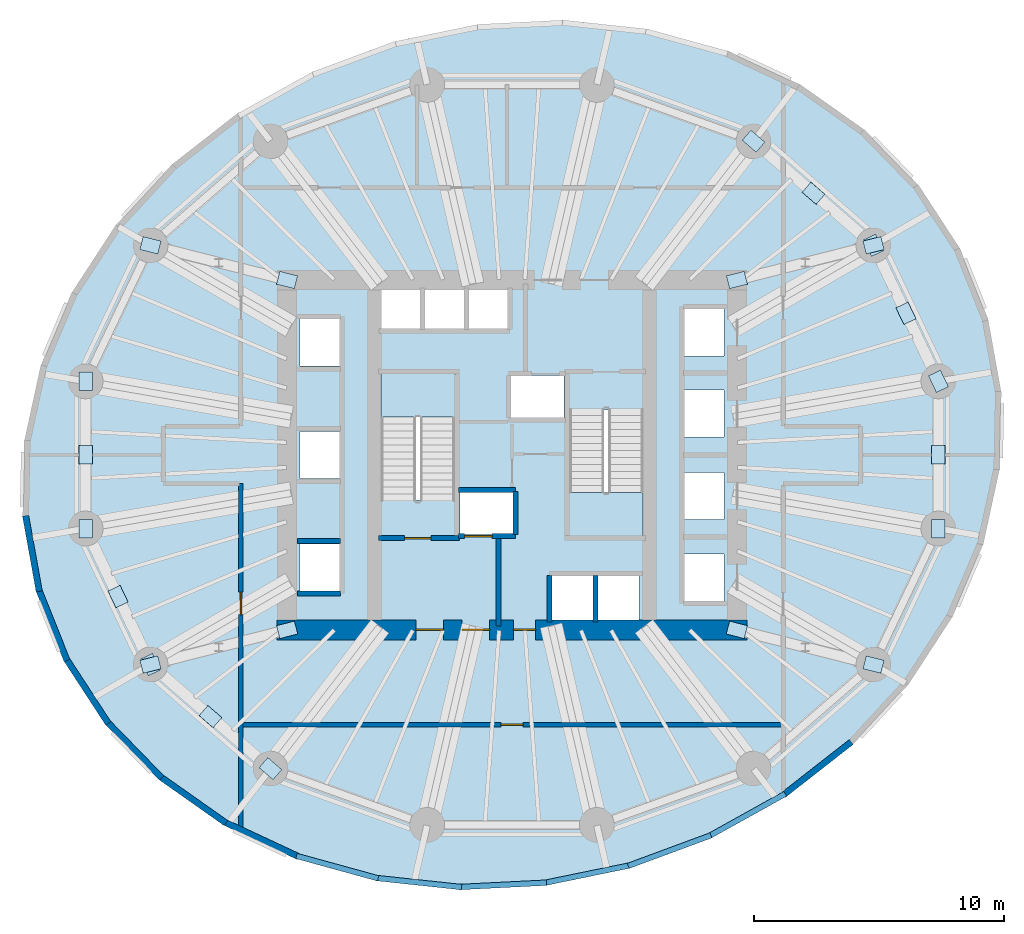
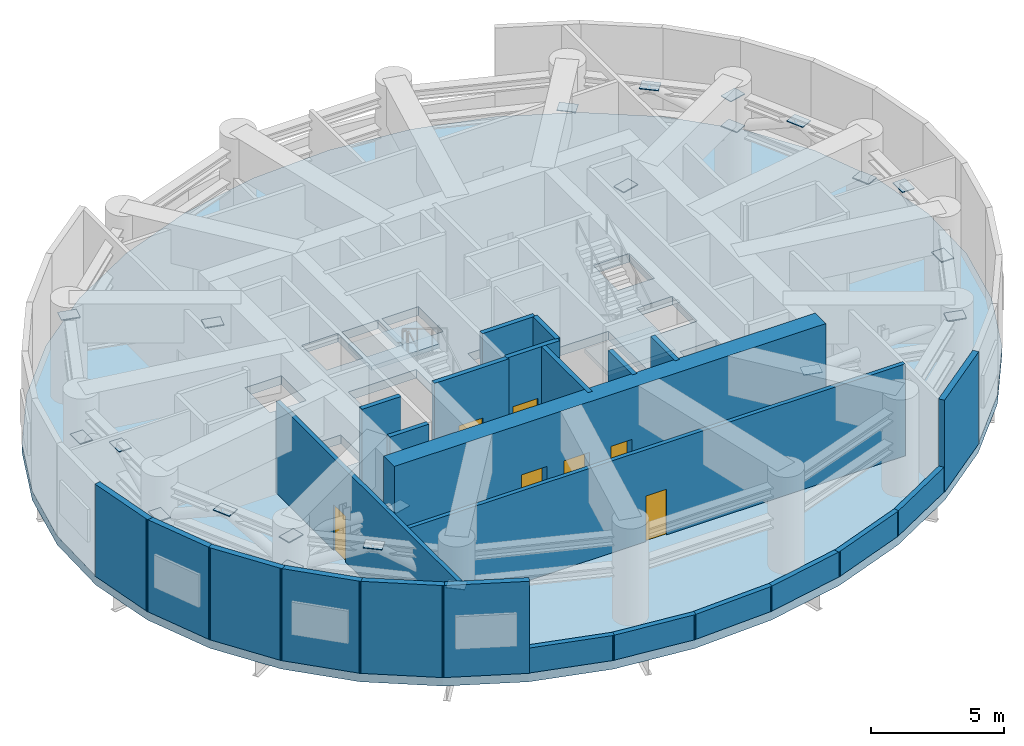
# One storey, part 4 of 8: 25 walls, 22 plates, 7 doors, 3 slabs, 7 openings, 2 elements without a shape of their own.
"""IFC4 building model written with IfcOpenShell, lengths in metres."""

from ifc_helpers import new_model, si_unit, direction, frame, frame_2d, origin, origin_2d, place, context, subcontext, project, spatial, polyline, rectangle, outline, extrude, material, layer, layer_set, type_object, element, fill, aggregate, save


model = new_model("IFC4")

# Units and contexts
model_context = context("Model", 3, precision=1e-05, world=origin(), true_north=direction((0.0, 1.0)))
body_context = subcontext(model_context, "Body", "Model", "MODEL_VIEW")
ifc_project = project(units=[si_unit("LENGTHUNIT", "METRE"), si_unit("AREAUNIT", "SQUARE_METRE"), si_unit("VOLUMEUNIT", "CUBIC_METRE"), si_unit("PLANEANGLEUNIT", "RADIAN"), si_unit("MASSUNIT", "GRAM", prefix="KILO")], contexts=[model_context])

# Site, building, storey
site_placement = place(None, origin())
site = spatial("IfcSite", under=ifc_project, at=site_placement, CompositionType="ELEMENT")
building_placement = place(site_placement, origin())
building = spatial("IfcBuilding", under=site, at=building_placement, Name="Veldorim Arch Residences", CompositionType="ELEMENT")
storey_placement = place(building_placement, frame((0.0, 0.0, 66.39990234375)))
storey = spatial("IfcBuildingStorey", under=building, at=storey_placement, Name="L19", CompositionType="ELEMENT", Elevation=66.39990234375)

# Slab
ifc_material_1 = material(Name="Concrete C50/60", Category="concrete")
ifc_layer_1 = layer(ifc_material_1, 0.39990234375, Name="Refuge & Outrigger Diaphragm Slab 400")
ifc_layer_set_1 = layer_set([ifc_layer_1], Name="Concrete C50/60")
slab_type_1 = type_object("IfcSlabType", Name="Refuge & Outrigger Diaphragm Slab 400", PredefinedType="FLOOR", material=ifc_layer_set_1)
slab_1_placement = place(storey_placement, frame((0.0, 0.0, -0.39990234375)))
element("IfcSlab", 1, at=slab_1_placement, inside=storey, type_object=slab_type_1, Name="L19 tower structural floor slab", PredefinedType="FLOOR", context=body_context, shape_type="SweptSolid", body=[
    extrude(outline(polyline([(51.036865234375, 29.4443359375), (49.92626953125, 32.233154296875), (48.271240234375, 34.77197265625), (46.12158203125, 36.9833984375), (43.54296875, 38.80029296875), (40.61376953125, 40.16748046875), (37.422607421875, 41.043701171875), (34.06689453125, 41.40185546875), (30.648193359375, 41.231201171875), (27.2705078125, 40.537109375), (24.03662109375, 39.34033203125), (21.044921875, 37.677490234375), (18.3857421875, 35.599365234375), (16.140380859375, 33.16845703125), (14.376953125, 30.459228515625), (13.14892578125, 27.5537109375), (12.49365234375, 24.5400390625), (12.43115234375, 21.510009765625), (12.963134765625, 18.5556640625), (14.07373046875, 15.766845703125), (15.728759765625, 13.22802734375), (17.87841796875, 11.0166015625), (20.45703125, 9.19970703125), (23.38623046875, 7.83251953125), (26.577392578125, 6.956298828125), (29.93310546875, 6.59814453125), (33.351806640625, 6.768798828125), (36.7294921875, 7.462890625), (39.96337890625, 8.65966796875), (42.955078125, 10.322509765625), (45.6142578125, 12.400634765625), (47.859619140625, 14.83154296875), (49.623046875, 17.540771484375), (50.85107421875, 20.4462890625), (51.50634765625, 23.4599609375), (51.56884765625, 26.489990234375), (51.036865234375, 29.4443359375)]), holes=[polyline([(23.510009765625, 20.43994140625), (25.090087890625, 20.43994140625), (25.090087890625, 18.56005859375), (23.510009765625, 18.56005859375), (23.510009765625, 20.43994140625)]), polyline([(29.909912109375, 22.544921875), (32.090087890625, 22.544921875), (32.090087890625, 20.81494140625), (29.909912109375, 20.81494140625), (29.909912109375, 22.544921875)]), polyline([(23.510009765625, 24.93994140625), (25.090087890625, 24.93994140625), (25.090087890625, 23.06005859375), (23.510009765625, 23.06005859375), (23.510009765625, 24.93994140625)]), polyline([(26.75, 27.25), (29.7099609375, 27.25), (29.7099609375, 22.195068359375), (26.75, 22.195068359375), (26.75, 27.25)]), polyline([(23.510009765625, 29.43994140625), (25.090087890625, 29.43994140625), (25.090087890625, 27.56005859375), (23.510009765625, 27.56005859375), (23.510009765625, 29.43994140625)]), polyline([(26.760009765625, 30.7900390625), (28.340087890625, 30.7900390625), (28.340087890625, 28.909912109375), (26.760009765625, 28.909912109375), (26.760009765625, 30.7900390625)]), polyline([(28.510009765625, 30.7900390625), (30.090087890625, 30.7900390625), (30.090087890625, 28.909912109375), (28.510009765625, 28.909912109375), (28.510009765625, 30.7900390625)]), polyline([(30.260009765625, 30.7900390625), (31.840087890625, 30.7900390625), (31.840087890625, 28.909912109375), (30.260009765625, 28.909912109375), (30.260009765625, 30.7900390625)]), polyline([(33.610107421875, 19.2900390625), (35.2900390625, 19.2900390625), (35.2900390625, 17.2099609375), (33.610107421875, 17.2099609375), (33.610107421875, 19.2900390625)]), polyline([(35.409912109375, 19.2900390625), (37.090087890625, 19.2900390625), (37.090087890625, 17.2099609375), (35.409912109375, 17.2099609375), (35.409912109375, 19.2900390625)]), polyline([(38.909912109375, 20.0400390625), (40.489990234375, 20.0400390625), (40.489990234375, 18.159912109375), (38.909912109375, 18.159912109375), (38.909912109375, 20.0400390625)]), polyline([(38.909912109375, 23.2900390625), (40.489990234375, 23.2900390625), (40.489990234375, 21.409912109375), (38.909912109375, 21.409912109375), (38.909912109375, 23.2900390625)]), polyline([(34.2900390625, 25.804931640625), (37.25, 25.804931640625), (37.25, 20.75), (34.2900390625, 20.75), (34.2900390625, 25.804931640625)]), polyline([(38.909912109375, 26.590087890625), (40.489990234375, 26.590087890625), (40.489990234375, 24.7099609375), (38.909912109375, 24.7099609375), (38.909912109375, 26.590087890625)]), polyline([(31.909912109375, 27.18505859375), (34.090087890625, 27.18505859375), (34.090087890625, 25.455078125), (31.909912109375, 25.455078125), (31.909912109375, 27.18505859375)]), polyline([(38.909912109375, 29.840087890625), (40.489990234375, 29.840087890625), (40.489990234375, 27.9599609375), (38.909912109375, 27.9599609375), (38.909912109375, 29.840087890625)])]), origin(), (0.0, 0.0, 1.0), 0.39990234375),
])

# Stair, slab
ifc_material_2 = material(Name="Concrete C40/50", Category="concrete")
stair_type = type_object("IfcStairType", Name="Reinforced Concrete Dogleg Exit Staircase", PredefinedType="HALF_TURN_STAIR", material=ifc_material_2)
stair_1_placement = place(storey_placement, origin())
stair_1 = element("IfcStair", 2, at=stair_1_placement, inside=storey, type_object=stair_type, Name="L19 Exit Staircase ST-1", PredefinedType="HALF_TURN_STAIR")
ifc_material_3 = material(Name="Concrete C40/50", Category="concrete")
ifc_layer_2 = layer(ifc_material_3, 0.199951171875, Name="Reinforced Concrete Stair Landing 200")
ifc_layer_set_2 = layer_set([ifc_layer_2], Name="Concrete C40/50")
slab_type_2 = type_object("IfcSlabType", Name="Reinforced Concrete Stair Landing 200", PredefinedType="LANDING", material=ifc_layer_set_2)
slab_2_placement = place(storey_placement, frame((0.0, 0.0, 2.0400390625)))
slab_2 = element("IfcSlab", 3, at=slab_2_placement, type_object=slab_type_2, Name="ST-1 landing 1", PredefinedType="LANDING", context=body_context, shape_type="SweptSolid", body=[
    extrude(outline(polyline([(29.7099609375, 25.510009765625), (29.7099609375, 27.25), (26.75, 27.25), (26.75, 25.510009765625), (29.7099609375, 25.510009765625)])), origin(), (0.0, 0.0, 1.0), 0.199951171875),
])
aggregate(stair_1, [slab_2])

stair_2_placement = place(storey_placement, origin())
stair_2 = element("IfcStair", 4, at=stair_2_placement, inside=storey, type_object=stair_type, Name="L19 Exit Staircase ST-2", PredefinedType="HALF_TURN_STAIR")
slab_3_placement = place(storey_placement, frame((0.0, 0.0, 2.0400390625)))
slab_3 = element("IfcSlab", 5, at=slab_3_placement, type_object=slab_type_2, Name="ST-2 landing 1", PredefinedType="LANDING", context=body_context, shape_type="SweptSolid", body=[
    extrude(outline(polyline([(34.2900390625, 22.489990234375), (34.2900390625, 20.75), (37.25, 20.75), (37.25, 22.489990234375), (34.2900390625, 22.489990234375)])), origin(), (0.0, 0.0, 1.0), 0.199951171875),
])
aggregate(stair_2, [slab_3])

# Plates
ifc_material_4 = material(Name="Steel S355", Category="steel")
ifc_layer_3 = layer(ifc_material_4, 0.035888671875, Name="Welded Hollow-Section End-Cap & Gusset Plate 36")
ifc_layer_set_3 = layer_set([ifc_layer_3], Name="Steel S355")
plate_type = type_object("IfcPlateType", Name="Welded Hollow-Section End-Cap & Gusset Plate 36", PredefinedType="USERDEFINED", material=ifc_layer_set_3)
for number, where, z_axis, x_axis, name in (
    (6, (49.065673828125, 26.94580078125, 2.22216796875), (0.0, 0.0, 1.0), (-0.430778880299, 0.902457509409, 0.0), "L19 belt truss chevron brace 01A welded joint gusset plate 1"),
    (7, (47.7666015625, 29.66748046875, 3.64208984375), (0.0, 0.0, 1.0), (-0.430778880299, 0.902457509409, 0.0), "L19 belt truss chevron brace 01A welded joint gusset plate 2"),
    (8, (46.467529296875, 32.38916015625, 2.22216796875), (0.0, 0.0, 1.0), (0.430747378327, -0.902472545878, 0.0), "L19 belt truss chevron brace 01B welded joint gusset plate 1"),
    (9, (44.0673828125, 34.47216796875, 3.64208984375), (0.0, 0.0, 1.0), (-0.755258934043, 0.655426534821, 0.0), "L19 belt truss chevron brace 02A welded joint gusset plate 2"),
    (10, (41.6669921875, 36.55517578125, 2.22216796875), (0.0, 0.0, 1.0), (0.755258934043, -0.655426534821, 0.0), "L19 belt truss chevron brace 02B welded joint gusset plate 1"),
    (11, (14.934326171875, 26.94580078125, 2.22216796875), (0.0, 0.0, 1.0), (0.0, -1.0, 0.0), "L19 belt truss chevron brace 08A welded joint gusset plate 1"),
    (12, (14.934326171875, 24.0, 3.64208984375), (0.0, 0.0, 1.0), (0.0, -1.0, 0.0), "L19 belt truss chevron brace 08A welded joint gusset plate 2"),
    (13, (14.934326171875, 21.05419921875, 2.22216796875), (0.0, 0.0, 1.0), (0.0, 1.0, 0.0), "L19 belt truss chevron brace 08B welded joint gusset plate 1"),
    (14, (16.2333984375, 18.33251953125, 3.64208984375), (0.0, 0.0, 1.0), (0.430778880299, -0.902457509409, 0.0), "L19 belt truss chevron brace 09A welded joint gusset plate 2"),
    (15, (17.532470703125, 15.61083984375, 2.22216796875), (0.0, 0.0, 1.0), (-0.430747378327, 0.902472545878, 0.0), "L19 belt truss chevron brace 09B welded joint gusset plate 1"),
    (16, (19.9326171875, 13.52783203125, 3.64208984375), (0.0, 0.0, 1.0), (0.755258934043, -0.655426534821, 0.0), "L19 belt truss chevron brace 10A welded joint gusset plate 2"),
    (17, (22.3330078125, 11.44482421875, 2.22216796875), (0.0, 0.0, 1.0), (-0.755258934043, 0.655426534821, 0.0), "L19 belt truss chevron brace 10B welded joint gusset plate 1"),
    (18, (49.065673828125, 21.05419921875, 2.22216796875), (0.0, 0.0, 1.0), (0.0, 1.0, 0.0), "L19 belt truss chevron brace 16A welded joint gusset plate 1"),
    (19, (49.065673828125, 24.0, 3.64208984375), (0.0, 0.0, 1.0), (0.0, 1.0, 0.0), "L19 belt truss chevron brace 16A welded joint gusset plate 2"),
    (20, (41.0, 17.0, 2.22216796875), (0.0, 0.0, 1.0), (0.969209425089, -0.246237873445, 0.0), "L19 outrigger truss diagonal 01 welded joint gusset plate 1"),
    (21, (46.467529296875, 15.61083984375, 3.64208984375), (0.0, 0.0, 1.0), (0.969209425089, -0.246237873445, 0.0), "L19 outrigger truss diagonal 01 welded joint gusset plate 2"),
    (22, (41.0, 31.0, 2.22216796875), (0.0, 0.0, 1.0), (0.969209425089, 0.246237873445, 0.0), "L19 outrigger truss diagonal 02 welded joint gusset plate 1"),
    (23, (46.467529296875, 32.38916015625, 3.64208984375), (0.0, 0.0, 1.0), (0.969209425089, 0.246237873445, 0.0), "L19 outrigger truss diagonal 02 welded joint gusset plate 2"),
    (24, (23.0, 31.0, 2.22216796875), (0.0, 0.0, 1.0), (-0.969209425089, 0.246237873445, 0.0), "L19 outrigger truss diagonal 03 welded joint gusset plate 1"),
    (25, (17.532470703125, 32.38916015625, 3.64208984375), (0.0, 0.0, 1.0), (-0.969209425089, 0.246237873445, 0.0), "L19 outrigger truss diagonal 03 welded joint gusset plate 2"),
    (26, (23.0, 17.0, 2.22216796875), (0.0, 0.0, 1.0), (-0.969209425089, -0.246237873445, 0.0), "L19 outrigger truss diagonal 04 welded joint gusset plate 1"),
    (27, (17.532470703125, 15.61083984375, 3.64208984375), (0.0, 0.0, 1.0), (-0.969209425089, -0.246237873445, 0.0), "L19 outrigger truss diagonal 04 welded joint gusset plate 2"),
):
    element("IfcPlate", number, at=place(storey_placement, frame(where, z_axis=z_axis, x_axis=x_axis)), inside=storey, type_object=plate_type, Name=name, ObjectType="GUSSET PLATE", PredefinedType="USERDEFINED", context=body_context, shape_type="SweptSolid", body=[
        extrude(rectangle(XDim=0.740966796875, YDim=0.537109375, at=origin_2d()), origin(), (0.0, 0.0, 1.0), 0.035888671875),
    ])

# Wall, opening, door
ifc_material_5 = material(Name="Lightweight Masonry Block & Gypsum", Category="masonry")
ifc_layer_4 = layer(ifc_material_5, 0.179931640625, Name="Compartment & Corridor Fire-Rated Party Wall 180")
ifc_layer_set_4 = layer_set([ifc_layer_4], Name="Lightweight Masonry Block & Gypsum")
wall_type_1 = type_object("IfcWallType", Name="Compartment & Corridor Fire-Rated Party Wall 180", PredefinedType="PARTITIONING", material=ifc_layer_set_4)
wall_1_placement = place(storey_placement, frame((42.85009765625, 13.199951171875, 0.0), z_axis=(0.0, 0.0, 1.0), x_axis=(-1.0, 0.0, 0.0)))
wall_1 = element("IfcWall", 28, at=wall_1_placement, inside=storey, type_object=wall_type_1, Name="L19 interior wall WL-PLT-L19-001", PredefinedType="PARTITIONING", context=body_context, shape_type="SweptSolid", body=[
    extrude(rectangle(XDim=21.7001953125, YDim=0.179931640625, at=frame_2d((10.85009765625, 0.0))), origin(), (0.0, 0.0, 1.0), 4.235107421875),
])
opening_1_placement = place(wall_1_placement, frame((10.39990234375, 0.0, 0.0)))
opening_1 = element("IfcOpeningElement", 29, at=opening_1_placement, cuts=wall_1, Name="Opening DR-INT", PredefinedType="OPENING", context=body_context, shape_type="SweptSolid", body=[
    extrude(rectangle(XDim=0.89990234375, YDim=2.10009765625, at=frame_2d((0.449951171875, 1.050048828125))), frame((0.0, 0.099853515625, 0.0), z_axis=(0.0, -1.0, 0.0), x_axis=(1.0, 0.0, 0.0)), (0.0, 0.0, 1.0), 0.199951171875),
])
ifc_material_6 = material(Name="Engineered Timber", Category="wood")
door_type_1 = type_object("IfcDoorType", Name="Apartment Internal Room Timber Door 900x2100", OperationType="SINGLE_SWING_LEFT", PredefinedType="DOOR", material=ifc_material_6)
door_1_placement = place(opening_1_placement, origin())
door_1 = element("IfcDoor", 30, at=door_1_placement, inside=storey, type_object=door_type_1, Name="L19 interior door DR-PLT-L19-001", OperationType="SINGLE_SWING_LEFT", OverallHeight=2.10009765625, OverallWidth=0.89990234375, PredefinedType="DOOR", context=body_context, shape_type="SweptSolid", body=[
    extrude(rectangle(XDim=0.89990234375, YDim=2.10009765625, at=frame_2d((0.449951171875, 1.050048828125))), frame((0.0, 0.02490234375, 0.0), z_axis=(0.0, -1.0, 0.0), x_axis=(1.0, 0.0, 0.0)), (0.0, 0.0, 1.0), 0.050048828125),
])
fill(opening_1, door_1)

wall_2_placement = place(storey_placement, frame((21.14990234375, 9.07470703125, 0.0), z_axis=(0.0, 0.0, 1.0), x_axis=(0.0, 1.0, 0.0)))
wall_2 = element("IfcWall", 31, at=wall_2_placement, inside=storey, type_object=wall_type_1, Name="L19 interior wall WL-PLT-L19-003", PredefinedType="PARTITIONING", context=body_context, shape_type="SweptSolid", body=[
    extrude(rectangle(XDim=13.775390625, YDim=0.179931640625, at=frame_2d((6.8876953125, 0.0))), origin(), (0.0, 0.0, 1.0), 4.235107421875),
])
opening_2_placement = place(wall_2_placement, frame((8.5302734375, 0.0, 0.0)))
opening_2 = element("IfcOpeningElement", 32, at=opening_2_placement, cuts=wall_2, Name="Opening DR-SVC", PredefinedType="OPENING", context=body_context, shape_type="SweptSolid", body=[
    extrude(rectangle(XDim=0.89990234375, YDim=2.10009765625, at=frame_2d((0.449951171875, 1.050048828125))), frame((0.0, 0.099853515625, 0.0), z_axis=(0.0, -1.0, 0.0), x_axis=(1.0, 0.0, 0.0)), (0.0, 0.0, 1.0), 0.199951171875),
])
ifc_material_7 = material(Name="Fire-Rated Steel", Category="steel")
door_type_2 = type_object("IfcDoorType", Name="Riser, Shelter & Plant Room Rated Steel Door 900x2100", OperationType="SINGLE_SWING_LEFT", PredefinedType="DOOR", material=ifc_material_7)
door_2_placement = place(opening_2_placement, origin())
door_2 = element("IfcDoor", 33, at=door_2_placement, inside=storey, type_object=door_type_2, Name="L19 interior door DR-PLT-L19-005", OperationType="SINGLE_SWING_LEFT", OverallHeight=2.10009765625, OverallWidth=0.89990234375, PredefinedType="DOOR", context=body_context, shape_type="SweptSolid", body=[
    extrude(rectangle(XDim=0.89990234375, YDim=2.10009765625, at=frame_2d((0.449951171875, 1.050048828125))), frame((0.0, 0.02490234375, 0.0), z_axis=(0.0, -1.0, 0.0), x_axis=(1.0, 0.0, 0.0)), (0.0, 0.0, 1.0), 0.050048828125),
])
fill(opening_2, door_2)

ifc_material_8 = material(Name="Concrete C50/60", Category="concrete")
ifc_layer_5 = layer(ifc_material_8, 0.199951171875, Name="Core Stair & Lift Shaft Enclosure Wall 200")
ifc_layer_set_5 = layer_set([ifc_layer_5], Name="Concrete C50/60")
wall_type_2 = type_object("IfcWallType", Name="Core Stair & Lift Shaft Enclosure Wall 200", PredefinedType="SHEAR", material=ifc_layer_set_5)
wall_3_placement = place(storey_placement, frame((26.64990234375, 20.669921875, 0.0), z_axis=(0.0, 0.0, 1.0), x_axis=(1.0, 0.0, 0.0)))
wall_3 = element("IfcWall", 34, at=wall_3_placement, inside=storey, type_object=wall_type_2, Name="L19 shaft wall WL-SHF-L19-ST1-S", PredefinedType="SHEAR", context=body_context, shape_type="SweptSolid", body=[
    extrude(rectangle(XDim=3.239990234375, YDim=0.199951171875, at=frame_2d((1.6201171875, 0.0))), origin(), (0.0, 0.0, 1.0), 4.47998046875),
])
opening_3_placement = place(wall_3_placement, frame((1.054931640625, 0.0, 0.0)))
opening_3 = element("IfcOpeningElement", 35, at=opening_3_placement, cuts=wall_3, Name="Opening DR-ST", PredefinedType="OPENING", context=body_context, shape_type="SweptSolid", body=[
    extrude(rectangle(XDim=1.050048828125, YDim=2.14990234375, at=frame_2d((0.52490234375, 1.074951171875))), frame((0.0, 0.10986328125, 0.0), z_axis=(0.0, -1.0, 0.0), x_axis=(1.0, 0.0, 0.0)), (0.0, 0.0, 1.0), 0.219970703125),
])
ifc_material_9 = material(Name="Fire-Rated Steel", Category="steel")
door_type_3 = type_object("IfcDoorType", Name="Exit Staircase Self-Closing Fire Door 1050x2150", OperationType="SINGLE_SWING_LEFT", PredefinedType="DOOR", material=ifc_material_9)
door_3_placement = place(opening_3_placement, origin())
door_3 = element("IfcDoor", 36, at=door_3_placement, inside=storey, type_object=door_type_3, Name="L19 interior door DR-L19-ST1", OperationType="SINGLE_SWING_LEFT", OverallHeight=2.14990234375, OverallWidth=1.050048828125, PredefinedType="DOOR", context=body_context, shape_type="SweptSolid", body=[
    extrude(rectangle(XDim=1.050048828125, YDim=2.14990234375, at=frame_2d((0.52490234375, 1.074951171875))), frame((0.0, 0.02490234375, 0.0), z_axis=(0.0, -1.0, 0.0), x_axis=(1.0, 0.0, 0.0)), (0.0, 0.0, 1.0), 0.050048828125),
])
fill(opening_3, door_3)

# Wall
wall_4_placement = place(storey_placement, frame((31.449951171875, 17.14990234375, 0.0), z_axis=(0.0, 0.0, 1.0), x_axis=(0.0, 1.0, 0.0)))
element("IfcWall", 37, at=wall_4_placement, inside=storey, type_object=wall_type_2, Name="L19 shaft wall WL-FFL1-L19-E", PredefinedType="SHEAR", context=body_context, shape_type="SweptSolid", body=[
    extrude(rectangle(XDim=3.5, YDim=0.199951171875, at=frame_2d((1.75, 0.0))), origin(), (0.0, 0.0, 1.0), 4.47998046875),
])

# Wall, opening, door
wall_5_placement = place(storey_placement, frame((29.85009765625, 20.75, 0.0), z_axis=(0.0, 0.0, 1.0), x_axis=(1.0, 0.0, 0.0)))
wall_5 = element("IfcWall", 38, at=wall_5_placement, inside=storey, type_object=wall_type_2, Name="L19 shaft wall WL-FL01-L19-S", PredefinedType="SHEAR", context=body_context, shape_type="SweptSolid", body=[
    extrude(rectangle(XDim=2.2998046875, YDim=0.199951171875, at=frame_2d((1.14990234375, 0.0))), origin(), (0.0, 0.0, 1.0), 4.47998046875),
])
opening_4_placement = place(wall_5_placement, frame((0.25, 0.0, 0.0)))
opening_4 = element("IfcOpeningElement", 39, at=opening_4_placement, cuts=wall_5, Name="Opening LD-FF", PredefinedType="OPENING", context=body_context, shape_type="SweptSolid", body=[
    extrude(rectangle(XDim=1.10009765625, YDim=2.14990234375, at=frame_2d((0.550048828125, 1.074951171875))), frame((0.0, 0.10986328125, 0.0), z_axis=(0.0, -1.0, 0.0), x_axis=(1.0, 0.0, 0.0)), (0.0, 0.0, 1.0), 0.219970703125),
])
ifc_material_10 = material(Name="Stainless Steel", Category="steel")
door_type_4 = type_object("IfcDoorType", Name="Firefighting Lift Bi-Parting Sliding Landing Door 1100x2150", OperationType="DOUBLE_DOOR_SLIDING", PredefinedType="DOOR", material=ifc_material_10)
door_4_placement = place(opening_4_placement, origin())
door_4 = element("IfcDoor", 40, at=door_4_placement, inside=storey, type_object=door_type_4, Name="L19 lift landing door LD-L19-FL01", OperationType="DOUBLE_DOOR_SLIDING", OverallHeight=2.14990234375, OverallWidth=1.10009765625, PredefinedType="DOOR", context=body_context, shape_type="SweptSolid", body=[
    extrude(rectangle(XDim=1.10009765625, YDim=2.14990234375, at=frame_2d((0.550048828125, 1.074951171875))), frame((0.0, 0.02490234375, 0.0), z_axis=(0.0, -1.0, 0.0), x_axis=(1.0, 0.0, 0.0)), (0.0, 0.0, 1.0), 0.050048828125),
])
fill(opening_4, door_4)

# Walls
wall_6_placement = place(storey_placement, frame((29.85009765625, 22.60009765625, 0.0), z_axis=(0.0, 0.0, 1.0), x_axis=(1.0, 0.0, 0.0)))
element("IfcWall", 41, at=wall_6_placement, inside=storey, type_object=wall_type_2, Name="L19 shaft wall WL-FL01-L19-N", PredefinedType="SHEAR", context=body_context, shape_type="SweptSolid", body=[
    extrude(rectangle(XDim=2.2998046875, YDim=0.199951171875, at=frame_2d((1.14990234375, 0.0))), origin(), (0.0, 0.0, 1.0), 4.47998046875),
])
for number, where, z_axis, x_axis, name in (
    (42, (32.14990234375, 20.820068359375, 0.0), (0.0, 0.0, 1.0), (0.0, 1.0, 0.0), "L19 shaft wall WL-FL01-L19-E"),
    (43, (23.419921875, 18.4599609375, 0.0), (0.0, 0.0, 1.0), (1.0, 0.0, 0.0), "L19 shaft wall WL-B2-L19-S"),
    (44, (23.419921875, 20.56005859375, 0.0), (0.0, 0.0, 1.0), (1.0, 0.0, 0.0), "L19 shaft wall WL-B2-L19-D1A"),
):
    element("IfcWall", number, at=place(storey_placement, frame(where, z_axis=z_axis, x_axis=x_axis)), inside=storey, type_object=wall_type_2, Name=name, PredefinedType="SHEAR", context=body_context, shape_type="SweptSolid", body=[
        extrude(rectangle(XDim=1.7099609375, YDim=0.199951171875, at=frame_2d((0.85498046875, 0.0))), origin(), (0.0, 0.0, 1.0), 4.47998046875),
    ])
for number, where, z_axis, x_axis, name in (
    (45, (33.5, 17.320068359375, 0.0), (0.0, 0.0, 1.0), (0.0, 1.0, 0.0), "L19 shaft wall WL-OL-L19-W"),
    (46, (35.35009765625, 17.320068359375, 0.0), (0.0, 0.0, 1.0), (0.0, 1.0, 0.0), "L19 shaft wall WL-OL-L19-D1"),
):
    element("IfcWall", number, at=place(storey_placement, frame(where, z_axis=z_axis, x_axis=x_axis)), inside=storey, type_object=wall_type_2, Name=name, PredefinedType="SHEAR", context=body_context, shape_type="SweptSolid", body=[
        extrude(rectangle(XDim=1.85986328125, YDim=0.199951171875, at=frame_2d((0.929931640625, 0.0))), origin(), (0.0, 0.0, 1.0), 4.47998046875),
    ])

# Wall, openings, doors
ifc_material_11 = material(Name="Concrete C60/75", Category="concrete")
ifc_layer_6 = layer(ifc_material_11, 0.800048828125, Name="Lower Central Core Shear Wall 800")
ifc_layer_set_6 = layer_set([ifc_layer_6], Name="Concrete C60/75")
wall_type_3 = type_object("IfcWallType", Name="Lower Central Core Shear Wall 800", PredefinedType="SHEAR", material=ifc_layer_set_6)
wall_7_placement = place(storey_placement, frame((22.60009765625, 17.0, 0.0), z_axis=(0.0, 0.0, 1.0), x_axis=(1.0, 0.0, 0.0)))
wall_7 = element("IfcWall", 47, at=wall_7_placement, inside=storey, type_object=wall_type_3, Name="L19 central core south shear wall", PredefinedType="SHEAR", context=body_context, shape_type="SweptSolid", body=[
    extrude(rectangle(XDim=18.7998046875, YDim=0.800048828125, at=frame_2d((9.39990234375, 0.0))), origin(), (0.0, 0.0, 1.0), 4.47998046875),
])
opening_5_placement = place(wall_7_placement, frame((5.550048828125, 0.0, 0.0)))
opening_5 = element("IfcOpeningElement", 48, at=opening_5_placement, cuts=wall_7, Name="Opening DR-FFL", PredefinedType="OPENING", context=body_context, shape_type="SweptSolid", body=[
    extrude(rectangle(XDim=1.10009765625, YDim=2.14990234375, at=frame_2d((0.550048828125, 1.074951171875))), frame((0.0, 0.409912109375, 0.0), z_axis=(0.0, -1.0, 0.0), x_axis=(1.0, 0.0, 0.0)), (0.0, 0.0, 1.0), 0.820068359375),
])
opening_6_placement = place(wall_7_placement, frame((7.39990234375, 0.0, 0.0)))
opening_6 = element("IfcOpeningElement", 49, at=opening_6_placement, cuts=wall_7, Name="Opening DR-FFL", PredefinedType="OPENING", context=body_context, shape_type="SweptSolid", body=[
    extrude(rectangle(XDim=1.10009765625, YDim=2.14990234375, at=frame_2d((0.550048828125, 1.074951171875))), frame((0.0, 0.409912109375, 0.0), z_axis=(0.0, -1.0, 0.0), x_axis=(1.0, 0.0, 0.0)), (0.0, 0.0, 1.0), 0.820068359375),
])
opening_7_placement = place(wall_7_placement, frame((9.449951171875, 0.0, 0.0)))
opening_7 = element("IfcOpeningElement", 50, at=opening_7_placement, cuts=wall_7, Name="Opening DR-SVC", PredefinedType="OPENING", context=body_context, shape_type="SweptSolid", body=[
    extrude(rectangle(XDim=0.89990234375, YDim=2.10009765625, at=frame_2d((0.449951171875, 1.050048828125))), frame((0.0, 0.409912109375, 0.0), z_axis=(0.0, -1.0, 0.0), x_axis=(1.0, 0.0, 0.0)), (0.0, 0.0, 1.0), 0.820068359375),
])
ifc_material_12 = material(Name="Fire-Rated Steel & Vision Glass", Category="steel")
door_type_5 = type_object("IfcDoorType", Name="Firefighting Lobby Smoke-Stop Fire Door 1100x2150", OperationType="SINGLE_SWING_LEFT", PredefinedType="DOOR", material=ifc_material_12)
door_5_placement = place(opening_5_placement, origin())
door_5 = element("IfcDoor", 51, at=door_5_placement, inside=storey, type_object=door_type_5, Name="L19 interior door DR-L19-REF1", OperationType="SINGLE_SWING_RIGHT", OverallHeight=2.14990234375, OverallWidth=1.10009765625, PredefinedType="DOOR", context=body_context, shape_type="SweptSolid", body=[
    extrude(rectangle(XDim=1.10009765625, YDim=2.14990234375, at=frame_2d((0.550048828125, 1.074951171875))), frame((0.0, 0.02490234375, 0.0), z_axis=(0.0, -1.0, 0.0), x_axis=(1.0, 0.0, 0.0)), (0.0, 0.0, 1.0), 0.050048828125),
])
fill(opening_5, door_5)
door_6_placement = place(opening_6_placement, origin())
door_6 = element("IfcDoor", 52, at=door_6_placement, inside=storey, type_object=door_type_5, Name="L19 interior door DR-L19-FFL1", OperationType="SINGLE_SWING_LEFT", OverallHeight=2.14990234375, OverallWidth=1.10009765625, PredefinedType="DOOR", context=body_context, shape_type="SweptSolid", body=[
    extrude(rectangle(XDim=1.10009765625, YDim=2.14990234375, at=frame_2d((0.550048828125, 1.074951171875))), frame((0.0, 0.02490234375, 0.0), z_axis=(0.0, -1.0, 0.0), x_axis=(1.0, 0.0, 0.0)), (0.0, 0.0, 1.0), 0.050048828125),
])
fill(opening_6, door_6)
door_7_placement = place(opening_7_placement, origin())
door_7 = element("IfcDoor", 53, at=door_7_placement, inside=storey, type_object=door_type_2, Name="L19 interior door DR-L19-COR-ANC", OperationType="SINGLE_SWING_LEFT", OverallHeight=2.10009765625, OverallWidth=0.89990234375, PredefinedType="DOOR", context=body_context, shape_type="SweptSolid", body=[
    extrude(rectangle(XDim=0.89990234375, YDim=2.10009765625, at=frame_2d((0.449951171875, 1.050048828125))), frame((0.0, 0.02490234375, 0.0), z_axis=(0.0, -1.0, 0.0), x_axis=(1.0, 0.0, 0.0)), (0.0, 0.0, 1.0), 0.050048828125),
])
fill(opening_7, door_7)

# Walls
ifc_material_13 = material(Name="Precast concrete C40/50", Category="concrete")
ifc_layer_7 = layer(ifc_material_13, 0.219970703125, Name="Terrace & Refuge Perimeter Parapet Wall 220")
ifc_layer_set_7 = layer_set([ifc_layer_7], Name="Precast concrete C40/50")
wall_type_4 = type_object("IfcWallType", Name="Terrace & Refuge Perimeter Parapet Wall 220", PredefinedType="PARAPET", material=ifc_layer_set_7)
wall_8_placement = place(storey_placement, frame((26.64501953125, 7.052001953125, 0.0), z_axis=(0.0, 0.0, 1.0), x_axis=(-0.964323623967, 0.264726175998, 0.0)))
element("IfcWall", 54, at=wall_8_placement, inside=storey, type_object=wall_type_4, Name="L19 fire refuge safety parapet 23", PredefinedType="PARAPET", context=body_context, shape_type="SweptSolid", body=[
    extrude(rectangle(XDim=3.38916015625, YDim=0.219970703125, at=frame_2d((1.694580078125, 0.0))), origin(), (0.0, 0.0, 1.0), 1.150146484375),
])
wall_9_placement = place(storey_placement, frame((29.984619140625, 6.703369140625, 0.0), z_axis=(0.0, 0.0, 1.0), x_axis=(-0.994351049023, 0.106141374148, 0.0)))
element("IfcWall", 55, at=wall_9_placement, inside=storey, type_object=wall_type_4, Name="L19 fire refuge safety parapet 24", PredefinedType="PARAPET", context=body_context, shape_type="SweptSolid", body=[
    extrude(rectangle(XDim=3.454833984375, YDim=0.219970703125, at=frame_2d((1.7275390625, 0.0))), origin(), (0.0, 0.0, 1.0), 1.150146484375),
])
wall_10_placement = place(storey_placement, frame((33.386474609375, 6.880615234375, 0.0), z_axis=(0.0, 0.0, 1.0), x_axis=(-0.998757720735, -0.049829863256, 0.0)))
element("IfcWall", 56, at=wall_10_placement, inside=storey, type_object=wall_type_4, Name="L19 fire refuge safety parapet 25", PredefinedType="PARAPET", context=body_context, shape_type="SweptSolid", body=[
    extrude(rectangle(XDim=3.503173828125, YDim=0.219970703125, at=frame_2d((1.75146484375, 0.0))), origin(), (0.0, 0.0, 1.0), 1.150146484375),
])
for number, where, z_axis, x_axis, name in (
    (57, (36.746337890625, 7.578857421875, 0.0), (0.0, 0.0, 1.0), (-0.979515290499, -0.201369798329, 0.0), "L19 fire refuge safety parapet 26"),
    (58, (39.962646484375, 8.776611328125, 0.0), (0.0, 0.0, 1.0), (-0.93785305937, -0.347032619548, 0.0), "L19 fire refuge safety parapet 27"),
):
    element("IfcWall", number, at=place(storey_placement, frame(where, z_axis=z_axis, x_axis=x_axis)), inside=storey, type_object=wall_type_4, Name=name, PredefinedType="PARAPET", context=body_context, shape_type="SweptSolid", body=[
        extrude(rectangle(XDim=3.528076171875, YDim=0.219970703125, at=frame_2d((1.76416015625, 0.0))), origin(), (0.0, 0.0, 1.0), 1.150146484375),
    ])
wall_11_placement = place(storey_placement, frame((42.936767578125, 10.43798828125, 0.0), z_axis=(0.0, 0.0, 1.0), x_axis=(-0.874075073274, -0.485790866815, 0.0)))
element("IfcWall", 59, at=wall_11_placement, inside=storey, type_object=wall_type_4, Name="L19 fire refuge safety parapet 28", PredefinedType="PARAPET", context=body_context, shape_type="SweptSolid", body=[
    extrude(rectangle(XDim=3.5029296875, YDim=0.219970703125, at=frame_2d((1.75146484375, 0.0))), origin(), (0.0, 0.0, 1.0), 1.150146484375),
])
ifc_material_14 = material(Name="Precast concrete C40/50", Category="concrete")
ifc_layer_8 = layer(ifc_material_14, 0.25, Name="Tower Terracotta Spandrel & Pier Wall 250")
ifc_layer_set_8 = layer_set([ifc_layer_8], Name="Precast concrete C40/50")
wall_type_5 = type_object("IfcWallType", Name="Tower Terracotta Spandrel & Pier Wall 250", PredefinedType="SOLIDWALL", material=ifc_layer_set_8)
wall_12_placement = place(storey_placement, frame((13.07861328125, 18.535888671875, 0.0), z_axis=(0.0, 0.0, 1.0), x_axis=(-0.17721899044, 0.984171443107, 0.0)))
element("IfcWall", 60, at=wall_12_placement, inside=storey, type_object=wall_type_5, Name="L19 outrigger plant enclosure wall 17", PredefinedType="SOLIDWALL", context=body_context, shape_type="SweptSolid", body=[
    extrude(rectangle(XDim=3.081787109375, YDim=0.25, at=frame_2d((1.541015625, 0.0))), origin(), (0.0, 0.0, 1.0), 4.239990234375),
])
wall_13_placement = place(storey_placement, frame((14.190673828125, 15.770263671875, 0.0), z_axis=(0.0, 0.0, 1.0), x_axis=(-0.369942469499, 0.929054664302, 0.0)))
element("IfcWall", 61, at=wall_13_placement, inside=storey, type_object=wall_type_5, Name="L19 outrigger plant enclosure wall 18", PredefinedType="SOLIDWALL", context=body_context, shape_type="SweptSolid", body=[
    extrude(rectangle(XDim=3.08203125, YDim=0.25, at=frame_2d((1.541015625, 0.0))), origin(), (0.0, 0.0, 1.0), 4.239990234375),
])
wall_14_placement = place(storey_placement, frame((15.8427734375, 13.254638671875, 0.0), z_axis=(0.0, 0.0, 1.0), x_axis=(-0.546121725676, 0.837705831868, 0.0)))
element("IfcWall", 62, at=wall_14_placement, inside=storey, type_object=wall_type_5, Name="L19 outrigger plant enclosure wall 19", PredefinedType="SOLIDWALL", context=body_context, shape_type="SweptSolid", body=[
    extrude(rectangle(XDim=3.110595703125, YDim=0.25, at=frame_2d((1.55517578125, 0.0))), origin(), (0.0, 0.0, 1.0), 4.239990234375),
])
wall_15_placement = place(storey_placement, frame((17.985107421875, 11.064697265625, 0.0), z_axis=(0.0, 0.0, 1.0), x_axis=(-0.697004563812, 0.717066690082, 0.0)))
element("IfcWall", 63, at=wall_15_placement, inside=storey, type_object=wall_type_5, Name="L19 outrigger plant enclosure wall 20", PredefinedType="SOLIDWALL", context=body_context, shape_type="SweptSolid", body=[
    extrude(rectangle(XDim=3.1640625, YDim=0.25, at=frame_2d((1.58203125, 0.0))), origin(), (0.0, 0.0, 1.0), 4.239990234375),
])
wall_16_placement = place(storey_placement, frame((20.552978515625, 9.2666015625, 0.0), z_axis=(0.0, 0.0, 1.0), x_axis=(-0.817429926176, 0.576028051219, 0.0)))
element("IfcWall", 64, at=wall_16_placement, inside=storey, type_object=wall_type_5, Name="L19 outrigger plant enclosure wall 21", PredefinedType="SOLIDWALL", context=body_context, shape_type="SweptSolid", body=[
    extrude(rectangle(XDim=3.234375, YDim=0.25, at=frame_2d((1.6171875, 0.0))), origin(), (0.0, 0.0, 1.0), 4.239990234375),
])
wall_17_placement = place(storey_placement, frame((23.468994140625, 7.915283203125, 0.0), z_axis=(0.0, 0.0, 1.0), x_axis=(-0.906173725202, 0.422905639301, 0.0)))
element("IfcWall", 65, at=wall_17_placement, inside=storey, type_object=wall_type_5, Name="L19 outrigger plant enclosure wall 22", PredefinedType="SOLIDWALL", context=body_context, shape_type="SweptSolid", body=[
    extrude(rectangle(XDim=3.3125, YDim=0.25, at=frame_2d((1.65625, 0.0))), origin(), (0.0, 0.0, 1.0), 4.239990234375),
])
wall_18_placement = place(storey_placement, frame((45.577880859375, 12.511962890625, 0.0), z_axis=(0.0, 0.0, 1.0), x_axis=(-0.787892573834, -0.615812708619, 0.0)))
element("IfcWall", 66, at=wall_18_placement, inside=storey, type_object=wall_type_5, Name="L19 outrigger plant enclosure wall 29", PredefinedType="SOLIDWALL", context=body_context, shape_type="SweptSolid", body=[
    extrude(rectangle(XDim=3.45458984375, YDim=0.25, at=frame_2d((1.727294921875, 0.0))), origin(), (0.0, 0.0, 1.0), 4.239990234375),
])

save(model, "model.ifc")
